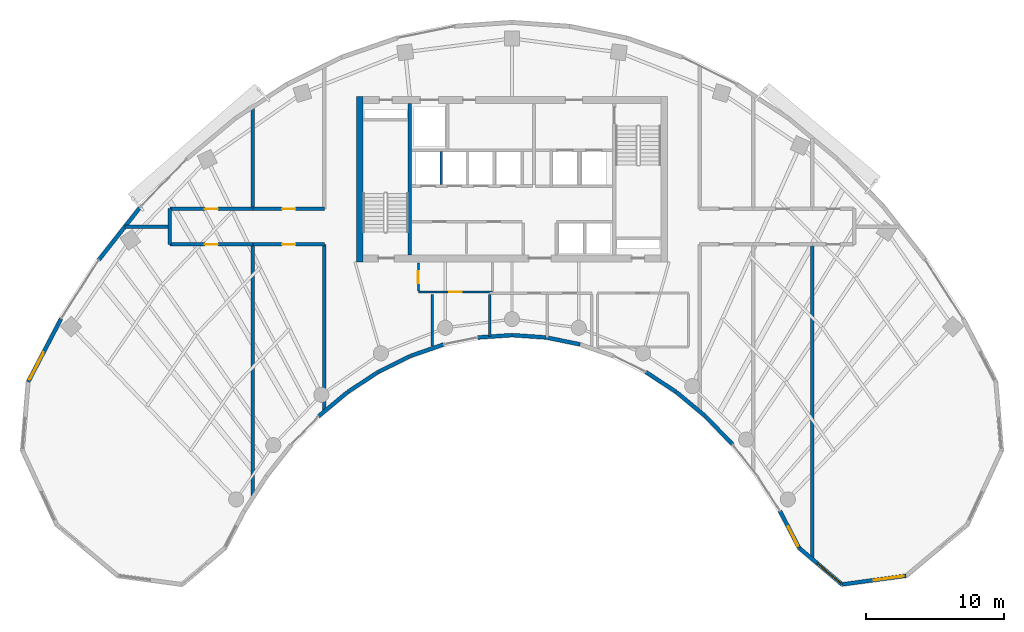
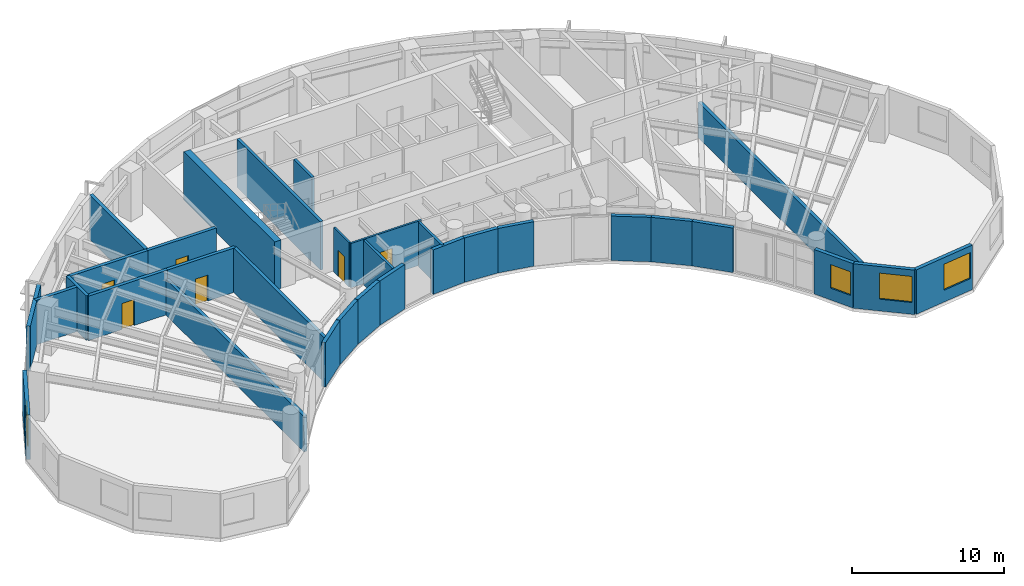
# One storey, part 8 of 13: 32 walls, 6 doors, 4 windows, 10 openings.
"""IFC4 building model written with IfcOpenShell, lengths in metres."""

from ifc_helpers import new_model, si_unit, direction, frame, frame_2d, origin, place, context, subcontext, project, spatial, rectangle, extrude, source, transform, mapped, material, layer, layer_set, type_object, type_shapes, element, fill, save


model = new_model("IFC4")

# Units and contexts
model_context = context("Model", 3, precision=1e-05, world=origin(), true_north=direction((0.0, 1.0)))
body_context = subcontext(model_context, "Body", "Model", "MODEL_VIEW")
ifc_project = project(units=[si_unit("LENGTHUNIT", "METRE"), si_unit("AREAUNIT", "SQUARE_METRE"), si_unit("VOLUMEUNIT", "CUBIC_METRE"), si_unit("PLANEANGLEUNIT", "RADIAN"), si_unit("MASSUNIT", "GRAM", prefix="KILO")], contexts=[model_context])

# Site, building, storey
site_placement = place(None, origin())
site = spatial("IfcSite", under=ifc_project, at=site_placement, CompositionType="ELEMENT")
building_placement = place(site_placement, origin())
building = spatial("IfcBuilding", under=site, at=building_placement, Name="Breltana Convention Tower", CompositionType="ELEMENT")
storey_placement = place(building_placement, frame((0.0, 0.0, 185.699951171875)))
storey = spatial("IfcBuildingStorey", under=building, at=storey_placement, Name="L45", CompositionType="ELEMENT", Elevation=185.699951171875)

# Walls
ifc_material_1 = material(Name="Concrete C60/75", Category="concrete")
ifc_layer_1 = layer(ifc_material_1, 0.5, Name="Concrete C60/75")
ifc_layer_set_1 = layer_set([ifc_layer_1], Name="Concrete C60/75")
wall_type_1 = type_object("IfcWallType", Name="SW-CORE-500", PredefinedType="SHEAR", material=ifc_layer_set_1)
shared_shape_1 = source(origin(), body_context, "Body", "SweptSolid", [
    extrude(rectangle(XDim=12.0, YDim=0.5, at=frame_2d((6.0, 0.0))), origin(), (0.0, 0.0, 1.0), 3.900146484375),
])
wall_1_placement = place(storey_placement, frame((36.949951171875, 60.199951171875, 0.0), z_axis=(0.0, 0.0, 1.0), x_axis=(0.0, 1.0, 0.0)))
element("IfcWall", 1, at=wall_1_placement, inside=storey, type_object=wall_type_1, Name="L45 West Core Shear Wall", PredefinedType="SHEAR", context=body_context, shape_type="MappedRepresentation", body=[
    mapped(shared_shape_1, transform((0.0, 0.0, 0.0), scale=1.0)),
])
ifc_material_2 = material(Name="Concrete C50/60", Category="concrete")
ifc_layer_2 = layer(ifc_material_2, 0.39990234375, Name="Concrete C50/60")
ifc_layer_set_2 = layer_set([ifc_layer_2], Name="Concrete C50/60")
wall_type_2 = type_object("IfcWallType", Name="SW-CORE-400", PredefinedType="SHEAR", material=ifc_layer_set_2)
shared_shape_2 = source(origin(), body_context, "Body", "SweptSolid", [
    extrude(rectangle(XDim=11.0, YDim=0.219970703125, at=frame_2d((5.5, 0.0))), origin(), (0.0, 0.0, 1.0), 3.900146484375),
])
wall_2_placement = place(storey_placement, frame((40.580078125, 60.699951171875, 0.0), z_axis=(0.0, 0.0, 1.0), x_axis=(0.0, 1.0, 0.0)))
element("IfcWall", 2, at=wall_2_placement, inside=storey, type_object=wall_type_2, Name="L45 Core West Stair Spine Wall", PredefinedType="SHEAR", context=body_context, shape_type="MappedRepresentation", body=[
    mapped(shared_shape_2, transform((0.0, 0.0, 0.0), scale=1.0)),
])

# Wall, opening, window
ifc_material_3 = material(Name="Limestone Buff Insulated Wall", Category="masonry")
ifc_layer_3 = layer(ifc_material_3, 0.280029296875, Name="Limestone Buff Insulated Wall")
ifc_layer_set_3 = layer_set([ifc_layer_3], Name="Limestone Buff Insulated Wall")
wall_type_3 = type_object("IfcWallType", Name="WL-EXT-NOSE-280", PredefinedType="SOLIDWALL", material=ifc_layer_set_3)
shared_shape_3 = source(origin(), body_context, "Body", "SweptSolid", [
    extrude(rectangle(XDim=4.680419921875, YDim=0.280029296875, at=frame_2d((2.34033203125, 0.0))), origin(), (0.0, 0.0, 1.0), 3.580078125),
])
wall_3_placement = place(storey_placement, frame((76.594482421875, 37.41650390625, 0.0), z_axis=(0.0, 0.0, 1.0), x_axis=(-0.990931146435, -0.134370618162, 0.0)))
wall_3 = element("IfcWall", 3, at=wall_3_placement, inside=storey, type_object=wall_type_3, Name="L45 curved limestone nose wall E4", PredefinedType="SOLIDWALL", context=body_context, shape_type="MappedRepresentation", body=[
    mapped(shared_shape_3, transform((0.0, 0.0, 0.0), scale=1.0)),
])
opening_1_placement = place(wall_3_placement, frame((0.159912109375, 0.0, 0.949951171875)))
opening_1 = element("IfcOpeningElement", 4, at=opening_1_placement, cuts=wall_3, Name="Opening W-03", PredefinedType="OPENING", context=body_context, shape_type="SweptSolid", body=[
    extrude(rectangle(XDim=2.199951171875, YDim=2.10009765625, at=frame_2d((1.10009765625, 1.050048828125))), frame((0.0, 0.14990234375, 0.0), z_axis=(0.0, -1.0, 0.0), x_axis=(1.0, 0.0, 0.0)), (0.0, 0.0, 1.0), 0.300048828125),
])
ifc_material_4 = material(Name="Glass Low-E Insulated Window", Category="glass")
window_type_1 = type_object("IfcWindowType", Name="WN-NOSE-2200X2100", PartitioningType="TRIPLE_PANEL_VERTICAL", PredefinedType="WINDOW", material=ifc_material_4)
shared_shape_4 = source(origin(), body_context, "Body", "SweptSolid", [
    extrude(rectangle(XDim=2.199951171875, YDim=2.10009765625, at=frame_2d((1.10009765625, 1.050048828125))), frame((0.0, 0.030029296875, 0.0), z_axis=(0.0, -1.0, 0.0), x_axis=(1.0, 0.0, 0.0)), (0.0, 0.0, 1.0), 0.06005859375),
])
type_shapes(window_type_1, [shared_shape_4])
window_1_placement = place(opening_1_placement, origin())
window_1 = element("IfcWindow", 5, at=window_1_placement, inside=storey, type_object=window_type_1, Name="L45 nose window E4", OverallHeight=2.10009765625, OverallWidth=2.199951171875, PartitioningType="TRIPLE_PANEL_VERTICAL", PredefinedType="WINDOW", context=body_context, shape_type="MappedRepresentation", body=[
    mapped(shared_shape_4, transform((0.0, 0.0, 0.0), scale=1.0)),
])
fill(opening_1, window_1)

shared_shape_5 = source(origin(), body_context, "Body", "SweptSolid", [
    extrude(rectangle(XDim=4.095947265625, YDim=0.280029296875, at=frame_2d((2.0478515625, 0.0))), origin(), (0.0, 0.0, 1.0), 3.580078125),
])
wall_4_placement = place(storey_placement, frame((71.95654296875, 36.78759765625, 0.0), z_axis=(0.0, 0.0, 1.0), x_axis=(-0.761926081737, 0.647663991564, 0.0)))
wall_4 = element("IfcWall", 6, at=wall_4_placement, inside=storey, type_object=wall_type_3, Name="L45 curved limestone nose wall E5", PredefinedType="SOLIDWALL", context=body_context, shape_type="MappedRepresentation", body=[
    mapped(shared_shape_5, transform((0.0, 0.0, 0.0), scale=1.0)),
])
opening_2_placement = place(wall_4_placement, frame((0.159912109375, 0.0, 0.949951171875)))
opening_2 = element("IfcOpeningElement", 7, at=opening_2_placement, cuts=wall_4, Name="Opening W-03", PredefinedType="OPENING", context=body_context, shape_type="SweptSolid", body=[
    extrude(rectangle(XDim=2.199951171875, YDim=2.10009765625, at=frame_2d((1.10009765625, 1.050048828125))), frame((0.0, 0.14990234375, 0.0), z_axis=(0.0, -1.0, 0.0), x_axis=(1.0, 0.0, 0.0)), (0.0, 0.0, 1.0), 0.300048828125),
])
window_2_placement = place(opening_2_placement, origin())
window_2 = element("IfcWindow", 8, at=window_2_placement, inside=storey, type_object=window_type_1, Name="L45 nose window E5", OverallHeight=2.10009765625, OverallWidth=2.199951171875, PartitioningType="TRIPLE_PANEL_VERTICAL", PredefinedType="WINDOW", context=body_context, shape_type="MappedRepresentation", body=[
    mapped(shared_shape_4, transform((0.0, 0.0, 0.0), scale=1.0)),
])
fill(opening_2, window_2)

shared_shape_6 = source(origin(), body_context, "Body", "SweptSolid", [
    extrude(rectangle(XDim=3.02392578125, YDim=0.280029296875, at=frame_2d((1.511962890625, 0.0))), origin(), (0.0, 0.0, 1.0), 3.580078125),
])
wall_5_placement = place(storey_placement, frame((68.835693359375, 39.4404296875, 0.0), z_axis=(0.0, 0.0, 1.0), x_axis=(-0.461718746531, 0.887026380161, 0.0)))
wall_5 = element("IfcWall", 9, at=wall_5_placement, inside=storey, type_object=wall_type_3, Name="L45 curved limestone nose wall E6", PredefinedType="SOLIDWALL", context=body_context, shape_type="MappedRepresentation", body=[
    mapped(shared_shape_6, transform((0.0, 0.0, 0.0), scale=1.0)),
])
opening_3_placement = place(wall_5_placement, frame((0.159912109375, 0.0, 0.949951171875)))
opening_3 = element("IfcOpeningElement", 10, at=opening_3_placement, cuts=wall_5, Name="Opening W-04", PredefinedType="OPENING", context=body_context, shape_type="SweptSolid", body=[
    extrude(rectangle(XDim=1.60009765625, YDim=1.89990234375, at=frame_2d((0.800048828125, 0.949951171875))), frame((0.0, 0.14990234375, 0.0), z_axis=(0.0, -1.0, 0.0), x_axis=(1.0, 0.0, 0.0)), (0.0, 0.0, 1.0), 0.300048828125),
])
window_type_2 = type_object("IfcWindowType", Name="WN-NOSE-1600X1900", PartitioningType="SINGLE_PANEL", PredefinedType="WINDOW", material=ifc_material_4)
shared_shape_7 = source(origin(), body_context, "Body", "SweptSolid", [
    extrude(rectangle(XDim=1.60009765625, YDim=1.89990234375, at=frame_2d((0.800048828125, 0.949951171875))), frame((0.0, 0.030029296875, 0.0), z_axis=(0.0, -1.0, 0.0), x_axis=(1.0, 0.0, 0.0)), (0.0, 0.0, 1.0), 0.06005859375),
])
type_shapes(window_type_2, [shared_shape_7])
window_3_placement = place(opening_3_placement, origin())
window_3 = element("IfcWindow", 11, at=window_3_placement, inside=storey, type_object=window_type_2, Name="L45 nose window E6", OverallHeight=1.89990234375, OverallWidth=1.60009765625, PartitioningType="SINGLE_PANEL", PredefinedType="WINDOW", context=body_context, shape_type="MappedRepresentation", body=[
    mapped(shared_shape_7, transform((0.0, 0.0, 0.0), scale=1.0)),
])
fill(opening_3, window_3)

# Walls
shared_shape_8 = source(origin(), body_context, "Body", "SweptSolid", [
    extrude(rectangle(XDim=2.812255859375, YDim=0.280029296875, at=frame_2d((1.40625, 0.0))), origin(), (0.0, 0.0, 1.0), 3.580078125),
])
wall_6_placement = place(storey_placement, frame((64.00830078125, 46.9501953125, 0.0), z_axis=(0.0, 0.0, 1.0), x_axis=(-0.694583668785, 0.719411931411, 0.0)))
element("IfcWall", 12, at=wall_6_placement, inside=storey, type_object=wall_type_3, Name="L45 curved limestone nose wall E7", PredefinedType="SOLIDWALL", context=body_context, shape_type="MappedRepresentation", body=[
    mapped(shared_shape_8, transform((0.0, 0.0, 0.0), scale=1.0)),
])
shared_shape_9 = source(origin(), body_context, "Body", "SweptSolid", [
    extrude(rectangle(XDim=2.7294921875, YDim=0.280029296875, at=frame_2d((1.36474609375, 0.0))), origin(), (0.0, 0.0, 1.0), 3.580078125),
])
for number, where, z_axis, x_axis, name in (
    (13, (62.040771484375, 48.986572265625, 0.0), (0.0, 0.0, 1.0), (-0.767957284255, 0.640501061326, 0.0), "L45 curved limestone nose wall E8"),
    (14, (36.055419921875, 50.73486328125, 0.0), (0.0, 0.0, 1.0), (-0.767957284255, -0.640501061326, 0.0), "L45 curved limestone nose wall E17"),
):
    element("IfcWall", number, at=place(storey_placement, frame(where, z_axis=z_axis, x_axis=x_axis)), inside=storey, type_object=wall_type_3, Name=name, PredefinedType="SOLIDWALL", context=body_context, shape_type="MappedRepresentation", body=[
        mapped(shared_shape_9, transform((0.0, 0.0, 0.0), scale=1.0)),
    ])
shared_shape_10 = source(origin(), body_context, "Body", "SweptSolid", [
    extrude(rectangle(XDim=2.65234375, YDim=0.280029296875, at=frame_2d((1.326171875, 0.0))), origin(), (0.0, 0.0, 1.0), 3.580078125),
])
for number, where, z_axis, x_axis, name in (
    (15, (59.92822265625, 50.7470703125, 0.0), (0.0, 0.0, 1.0), (-0.836008323535, 0.54871676025, 0.0), "L45 curved limestone nose wall E9"),
    (16, (38.2890625, 52.202392578125, 0.0), (0.0, 0.0, 1.0), (-0.836008323535, -0.54871676025, 0.0), "L45 curved limestone nose wall E16"),
):
    element("IfcWall", number, at=place(storey_placement, frame(where, z_axis=z_axis, x_axis=x_axis)), inside=storey, type_object=wall_type_3, Name=name, PredefinedType="SOLIDWALL", context=body_context, shape_type="MappedRepresentation", body=[
        mapped(shared_shape_10, transform((0.0, 0.0, 0.0), scale=1.0)),
    ])
shared_shape_11 = source(origin(), body_context, "Body", "SweptSolid", [
    extrude(rectangle(XDim=2.52978515625, YDim=0.280029296875, at=frame_2d((1.264892578125, 0.0))), origin(), (0.0, 0.0, 1.0), 3.580078125),
])
wall_7_placement = place(storey_placement, frame((43.034912109375, 54.1982421875, 0.0), z_axis=(0.0, 0.0, 1.0), x_axis=(-0.944872429646, -0.327438683872, 0.0)))
element("IfcWall", 17, at=wall_7_placement, inside=storey, type_object=wall_type_3, Name="L45 curved limestone nose wall E14", PredefinedType="SOLIDWALL", context=body_context, shape_type="MappedRepresentation", body=[
    mapped(shared_shape_11, transform((0.0, 0.0, 0.0), scale=1.0)),
])
shared_shape_12 = source(origin(), body_context, "Body", "SweptSolid", [
    extrude(rectangle(XDim=2.4912109375, YDim=0.280029296875, at=frame_2d((1.24560546875, 0.0))), origin(), (0.0, 0.0, 1.0), 3.580078125),
])
wall_8_placement = place(storey_placement, frame((52.9423828125, 54.20458984375, 0.0), z_axis=(0.0, 0.0, 1.0), x_axis=(-0.979630885979, 0.200806691214, 0.0)))
element("IfcWall", 18, at=wall_8_placement, inside=storey, type_object=wall_type_3, Name="L45 curved limestone nose wall E11", PredefinedType="SOLIDWALL", context=body_context, shape_type="MappedRepresentation", body=[
    mapped(shared_shape_12, transform((0.0, 0.0, 0.0), scale=1.0)),
])
shared_shape_13 = source(origin(), body_context, "Body", "SweptSolid", [
    extrude(rectangle(XDim=2.471435546875, YDim=0.280029296875, at=frame_2d((1.23583984375, 0.0))), origin(), (0.0, 0.0, 1.0), 3.580078125),
])
for number, where, z_axis, x_axis, name in (
    (19, (50.47802734375, 54.708251953125, 0.0), (0.0, 0.0, 1.0), (-0.997708006929, 0.067666335123, 0.0), "L45 curved limestone nose wall E12"),
    (20, (47.98779296875, 54.87548828125, 0.0), (0.0, 0.0, 1.0), (-0.997708006929, -0.067666335123, 0.0), "L45 curved limestone nose wall E13"),
):
    element("IfcWall", number, at=place(storey_placement, frame(where, z_axis=z_axis, x_axis=x_axis)), inside=storey, type_object=wall_type_3, Name=name, PredefinedType="SOLIDWALL", context=body_context, shape_type="MappedRepresentation", body=[
        mapped(shared_shape_13, transform((0.0, 0.0, 0.0), scale=1.0)),
    ])
shared_shape_14 = source(origin(), body_context, "Body", "SweptSolid", [
    extrude(rectangle(XDim=2.58447265625, YDim=0.280029296875, at=frame_2d((1.292236328125, 0.0))), origin(), (0.0, 0.0, 1.0), 3.580078125),
])
wall_9_placement = place(storey_placement, frame((40.62353515625, 53.361083984375, 0.0), z_axis=(0.0, 0.0, 1.0), x_axis=(-0.895989792847, -0.44407464588, 0.0)))
element("IfcWall", 21, at=wall_9_placement, inside=storey, type_object=wall_type_3, Name="L45 curved limestone nose wall E15", PredefinedType="SOLIDWALL", context=body_context, shape_type="MappedRepresentation", body=[
    mapped(shared_shape_14, transform((0.0, 0.0, 0.0), scale=1.0)),
])

# Wall, opening, window
shared_shape_15 = source(origin(), body_context, "Body", "SweptSolid", [
    extrude(rectangle(XDim=5.1708984375, YDim=0.280029296875, at=frame_2d((2.58544921875, 0.0))), origin(), (0.0, 0.0, 1.0), 3.580078125),
])
wall_10_placement = place(storey_placement, frame((12.897705078125, 51.48876953125, 0.0), z_axis=(0.0, 0.0, 1.0), x_axis=(0.461752581363, 0.887008767491, 0.0)))
wall_10 = element("IfcWall", 22, at=wall_10_placement, inside=storey, type_object=wall_type_3, Name="L45 curved limestone nose wall W7", PredefinedType="SOLIDWALL", context=body_context, shape_type="MappedRepresentation", body=[
    mapped(shared_shape_15, transform((0.0, 0.0, 0.0), scale=1.0)),
])
opening_4_placement = place(wall_10_placement, frame((0.19287109375, 0.0, 0.949951171875)))
opening_4 = element("IfcOpeningElement", 23, at=opening_4_placement, cuts=wall_10, Name="Opening W-03", PredefinedType="OPENING", context=body_context, shape_type="SweptSolid", body=[
    extrude(rectangle(XDim=2.199951171875, YDim=2.10009765625, at=frame_2d((1.10009765625, 1.050048828125))), frame((0.0, 0.14990234375, 0.0), z_axis=(0.0, -1.0, 0.0), x_axis=(1.0, 0.0, 0.0)), (0.0, 0.0, 1.0), 0.300048828125),
])
window_4_placement = place(opening_4_placement, origin())
window_4 = element("IfcWindow", 24, at=window_4_placement, inside=storey, type_object=window_type_1, Name="L45 nose window W7", OverallHeight=2.10009765625, OverallWidth=2.199951171875, PartitioningType="TRIPLE_PANEL_VERTICAL", PredefinedType="WINDOW", context=body_context, shape_type="MappedRepresentation", body=[
    mapped(shared_shape_4, transform((0.0, 0.0, 0.0), scale=1.0)),
])
fill(opening_4, window_4)

# Walls
shared_shape_16 = source(origin(), body_context, "Body", "SweptSolid", [
    extrude(rectangle(XDim=4.921630859375, YDim=0.280029296875, at=frame_2d((2.4609375, 0.0))), origin(), (0.0, 0.0, 1.0), 3.580078125),
])
wall_11_placement = place(storey_placement, frame((18.021240234375, 60.337646484375, 0.0), z_axis=(0.0, 0.0, 1.0), x_axis=(0.61817639101, 0.786039407153, 0.0)))
element("IfcWall", 25, at=wall_11_placement, inside=storey, type_object=wall_type_3, Name="L45 curved limestone nose wall E20", PredefinedType="SOLIDWALL", context=body_context, shape_type="MappedRepresentation", body=[
    mapped(shared_shape_16, transform((0.0, 0.0, 0.0), scale=1.0)),
])
ifc_material_5 = material(Name="Autoclaved Aerated Concrete Block", Category="concrete")
ifc_layer_4 = layer(ifc_material_5, 0.199951171875, Name="Autoclaved Aerated Concrete Block")
ifc_layer_set_4 = layer_set([ifc_layer_4], Name="Autoclaved Aerated Concrete Block")
wall_type_4 = type_object("IfcWallType", Name="WL-SHAFT-200", PredefinedType="SOLIDWALL", material=ifc_layer_set_4)
shared_shape_17 = source(origin(), body_context, "Body", "SweptSolid", [
    extrude(rectangle(XDim=2.39990234375, YDim=0.199951171875, at=frame_2d((1.199951171875, 0.0))), origin(), (0.0, 0.0, 1.0), 3.580078125),
])
wall_12_placement = place(storey_placement, frame((42.8701171875, 65.800048828125, 0.0), z_axis=(0.0, 0.0, 1.0), x_axis=(0.0, 1.0, 0.0)))
element("IfcWall", 26, at=wall_12_placement, inside=storey, type_object=wall_type_4, Name="L45 interior partition W-L45-SH-M-DIV1", PredefinedType="SOLIDWALL", context=body_context, shape_type="MappedRepresentation", body=[
    mapped(shared_shape_17, transform((0.0, 0.0, 0.0), scale=1.0)),
])

# Wall, opening, door
ifc_material_6 = material(Name="Gypsum Acoustic Drywall Partition")
ifc_layer_5 = layer(ifc_material_6, 0.14990234375, Name="Gypsum Acoustic Drywall Partition")
ifc_layer_set_5 = layer_set([ifc_layer_5], Name="Gypsum Acoustic Drywall Partition")
wall_type_5 = type_object("IfcWallType", Name="WL-PART-150", PredefinedType="PARTITIONING", material=ifc_layer_set_5)
shared_shape_18 = source(origin(), body_context, "Body", "SweptSolid", [
    extrude(rectangle(XDim=5.400146484375, YDim=0.14990234375, at=frame_2d((2.7001953125, 0.0))), origin(), (0.0, 0.0, 1.0), 3.580078125),
])
wall_13_placement = place(storey_placement, frame((41.199951171875, 58.0, 0.0), z_axis=(0.0, 0.0, 1.0), x_axis=(1.0, 0.0, 0.0)))
wall_13 = element("IfcWall", 27, at=wall_13_placement, inside=storey, type_object=wall_type_5, Name="L45 interior partition W-L45-CRSC-S", PredefinedType="PARTITIONING", context=body_context, shape_type="MappedRepresentation", body=[
    mapped(shared_shape_18, transform((0.0, 0.0, 0.0), scale=1.0)),
])
opening_5_placement = place(wall_13_placement, frame((2.25, 0.0, 0.0)))
opening_5 = element("IfcOpeningElement", 28, at=opening_5_placement, cuts=wall_13, Name="Opening D-19", PredefinedType="OPENING", context=body_context, shape_type="SweptSolid", body=[
    extrude(rectangle(XDim=0.89990234375, YDim=2.080078125, at=frame_2d((0.449951171875, 1.0400390625))), frame((0.0, 0.0849609375, 0.0), z_axis=(0.0, -1.0, 0.0), x_axis=(1.0, 0.0, 0.0)), (0.0, 0.0, 1.0), 0.169921875),
])
ifc_material_7 = material(Name="Timber Moisture-Resistant Door", Category="wood")
door_type_1 = type_object("IfcDoorType", Name="DR-WC-900", OperationType="NOTDEFINED", PredefinedType="DOOR", material=ifc_material_7)
shared_shape_19 = source(origin(), body_context, "Body", "SweptSolid", [
    extrude(rectangle(XDim=0.89990234375, YDim=2.080078125, at=frame_2d((0.449951171875, 1.0400390625))), frame((0.0, 0.02490234375, 0.0), z_axis=(0.0, -1.0, 0.0), x_axis=(1.0, 0.0, 0.0)), (0.0, 0.0, 1.0), 0.050048828125),
])
type_shapes(door_type_1, [shared_shape_19])
door_1_placement = place(opening_5_placement, origin())
door_1 = element("IfcDoor", 29, at=door_1_placement, inside=storey, type_object=door_type_1, Name="L45 interior door D-L45-WCM", OperationType="SINGLE_SWING_LEFT", OverallHeight=2.080078125, OverallWidth=0.89990234375, PredefinedType="DOOR", context=body_context, shape_type="MappedRepresentation", body=[
    mapped(shared_shape_19, transform((0.0, 0.0, 0.0), scale=1.0)),
])
fill(opening_5, door_1)

shared_shape_20 = source(origin(), body_context, "Body", "SweptSolid", [
    extrude(rectangle(XDim=2.03271484375, YDim=0.14990234375, at=frame_2d((1.016357421875, 0.0))), origin(), (0.0, 0.0, 1.0), 3.580078125),
])
wall_14_placement = place(storey_placement, frame((41.199951171875, 58.0673828125, 0.0), z_axis=(0.0, 0.0, 1.0), x_axis=(0.0, 1.0, 0.0)))
wall_14 = element("IfcWall", 30, at=wall_14_placement, inside=storey, type_object=wall_type_5, Name="L45 interior partition W-L45-CRSC-W", PredefinedType="PARTITIONING", context=body_context, shape_type="MappedRepresentation", body=[
    mapped(shared_shape_20, transform((0.0, 0.0, 0.0), scale=1.0)),
])
opening_6_placement = place(wall_14_placement, frame((0.59130859375, 0.0, 0.0)))
opening_6 = element("IfcOpeningElement", 31, at=opening_6_placement, cuts=wall_14, Name="Opening D-20", PredefinedType="OPENING", context=body_context, shape_type="SweptSolid", body=[
    extrude(rectangle(XDim=0.85009765625, YDim=2.10009765625, at=frame_2d((0.425048828125, 1.050048828125))), frame((0.0, 0.0849609375, 0.0), z_axis=(0.0, -1.0, 0.0), x_axis=(1.0, 0.0, 0.0)), (0.0, 0.0, 1.0), 0.169921875),
])
ifc_material_8 = material(Name="Steel Closet Fire Door", Category="steel")
door_type_2 = type_object("IfcDoorType", Name="DR-FD60-850", OperationType="NOTDEFINED", PredefinedType="DOOR", material=ifc_material_8)
shared_shape_21 = source(origin(), body_context, "Body", "SweptSolid", [
    extrude(rectangle(XDim=0.85009765625, YDim=2.10009765625, at=frame_2d((0.425048828125, 1.050048828125))), frame((0.0, 0.02490234375, 0.0), z_axis=(0.0, -1.0, 0.0), x_axis=(1.0, 0.0, 0.0)), (0.0, 0.0, 1.0), 0.050048828125),
])
type_shapes(door_type_2, [shared_shape_21])
door_2_placement = place(opening_6_placement, origin())
door_2 = element("IfcDoor", 32, at=door_2_placement, inside=storey, type_object=door_type_2, Name="L45 interior door D-L45-CRSC", OperationType="SINGLE_SWING_RIGHT", OverallHeight=2.10009765625, OverallWidth=0.85009765625, PredefinedType="DOOR", context=body_context, shape_type="MappedRepresentation", body=[
    mapped(shared_shape_21, transform((0.0, 0.0, 0.0), scale=1.0)),
])
fill(opening_6, door_2)

# Walls
ifc_material_9 = material(Name="Cement Board Wet-Area Partition")
ifc_layer_6 = layer(ifc_material_9, 0.175048828125, Name="Cement Board Wet-Area Partition")
ifc_layer_set_6 = layer_set([ifc_layer_6], Name="Cement Board Wet-Area Partition")
wall_type_6 = type_object("IfcWallType", Name="WL-WET-175", PredefinedType="PARTITIONING", material=ifc_layer_set_6)
shared_shape_22 = source(origin(), body_context, "Body", "SweptSolid", [
    extrude(rectangle(XDim=3.7626953125, YDim=0.175048828125, at=frame_2d((1.88134765625, 0.0))), origin(), (0.0, 0.0, 1.0), 3.580078125),
])
wall_15_placement = place(storey_placement, frame((42.199951171875, 54.07861328125, 0.0), z_axis=(0.0, 0.0, 1.0), x_axis=(0.0, 1.0, 0.0)))
element("IfcWall", 33, at=wall_15_placement, inside=storey, type_object=wall_type_6, Name="L45 interior partition W-L45-WCM-W", PredefinedType="PARTITIONING", context=body_context, shape_type="MappedRepresentation", body=[
    mapped(shared_shape_22, transform((0.0, 0.0, 0.0), scale=1.0)),
])
shared_shape_23 = source(origin(), body_context, "Body", "SweptSolid", [
    extrude(rectangle(XDim=3.065185546875, YDim=0.175048828125, at=frame_2d((1.53271484375, 0.0))), origin(), (0.0, 0.0, 1.0), 3.580078125),
])
wall_16_placement = place(storey_placement, frame((46.3759765625, 54.776123046875, 0.0), z_axis=(0.0, 0.0, 1.0), x_axis=(0.0, 1.0, 0.0)))
element("IfcWall", 34, at=wall_16_placement, inside=storey, type_object=wall_type_6, Name="L45 interior partition W-L45-WCM-E", PredefinedType="PARTITIONING", context=body_context, shape_type="MappedRepresentation", body=[
    mapped(shared_shape_23, transform((0.0, 0.0, 0.0), scale=1.0)),
])

# Wall, opening, door
ifc_material_10 = material(Name="Gypsum Acoustic Double Stud Wall")
ifc_layer_7 = layer(ifc_material_10, 0.25, Name="Gypsum Acoustic Double Stud Wall")
ifc_layer_set_7 = layer_set([ifc_layer_7], Name="Gypsum Acoustic Double Stud Wall")
wall_type_7 = type_object("IfcWallType", Name="WL-ACOUSTIC-250", PredefinedType="PARTITIONING", material=ifc_layer_set_7)
shared_shape_24 = source(origin(), body_context, "Body", "SweptSolid", [
    extrude(rectangle(XDim=6.02001953125, YDim=0.25, at=frame_2d((3.010009765625, 0.0))), origin(), (0.0, 0.0, 1.0), 3.580078125),
])
wall_17_placement = place(storey_placement, frame((23.179931640625, 64.0400390625, 0.0), z_axis=(0.0, 0.0, 1.0), x_axis=(1.0, 0.0, 0.0)))
wall_17 = element("IfcWall", 35, at=wall_17_placement, inside=storey, type_object=wall_type_7, Name="L45 interior partition W-L45-ZWN1-D", PredefinedType="PARTITIONING", context=body_context, shape_type="MappedRepresentation", body=[
    mapped(shared_shape_24, transform((0.0, 0.0, 0.0), scale=1.0)),
])
opening_7_placement = place(wall_17_placement, frame((2.534912109375, 0.0, 0.0)))
opening_7 = element("IfcOpeningElement", 36, at=opening_7_placement, cuts=wall_17, Name="Opening D-17", PredefinedType="OPENING", context=body_context, shape_type="SweptSolid", body=[
    extrude(rectangle(XDim=0.949951171875, YDim=2.10009765625, at=frame_2d((0.47509765625, 1.050048828125))), frame((0.0, 0.135009765625, 0.0), z_axis=(0.0, -1.0, 0.0), x_axis=(1.0, 0.0, 0.0)), (0.0, 0.0, 1.0), 0.27001953125),
])
ifc_material_11 = material(Name="Timber Oak Veneer Door", Category="wood")
door_type_3 = type_object("IfcDoorType", Name="DR-INT-950", OperationType="NOTDEFINED", PredefinedType="DOOR", material=ifc_material_11)
shared_shape_25 = source(origin(), body_context, "Body", "SweptSolid", [
    extrude(rectangle(XDim=0.949951171875, YDim=2.10009765625, at=frame_2d((0.47509765625, 1.050048828125))), frame((0.0, 0.02490234375, 0.0), z_axis=(0.0, -1.0, 0.0), x_axis=(1.0, 0.0, 0.0)), (0.0, 0.0, 1.0), 0.050048828125),
])
type_shapes(door_type_3, [shared_shape_25])
door_3_placement = place(opening_7_placement, origin())
door_3 = element("IfcDoor", 37, at=door_3_placement, inside=storey, type_object=door_type_3, Name="L45 interior door D-L45-ZWN1", OperationType="SINGLE_SWING_LEFT", OverallHeight=2.10009765625, OverallWidth=0.949951171875, PredefinedType="DOOR", context=body_context, shape_type="MappedRepresentation", body=[
    mapped(shared_shape_25, transform((0.0, 0.0, 0.0), scale=1.0)),
])
fill(opening_7, door_3)

wall_18_placement = place(storey_placement, frame((23.179931640625, 61.4599609375, 0.0), z_axis=(0.0, 0.0, 1.0), x_axis=(1.0, 0.0, 0.0)))
wall_18 = element("IfcWall", 38, at=wall_18_placement, inside=storey, type_object=wall_type_7, Name="L45 interior partition W-L45-ZWS1-D", PredefinedType="PARTITIONING", context=body_context, shape_type="MappedRepresentation", body=[
    mapped(shared_shape_24, transform((0.0, 0.0, 0.0), scale=1.0)),
])
opening_8_placement = place(wall_18_placement, frame((2.534912109375, 0.0, 0.0)))
opening_8 = element("IfcOpeningElement", 39, at=opening_8_placement, cuts=wall_18, Name="Opening D-17", PredefinedType="OPENING", context=body_context, shape_type="SweptSolid", body=[
    extrude(rectangle(XDim=0.949951171875, YDim=2.10009765625, at=frame_2d((0.47509765625, 1.050048828125))), frame((0.0, 0.135009765625, 0.0), z_axis=(0.0, -1.0, 0.0), x_axis=(1.0, 0.0, 0.0)), (0.0, 0.0, 1.0), 0.27001953125),
])
door_4_placement = place(opening_8_placement, origin())
door_4 = element("IfcDoor", 40, at=door_4_placement, inside=storey, type_object=door_type_3, Name="L45 interior door D-L45-ZWS1", OperationType="SINGLE_SWING_LEFT", OverallHeight=2.10009765625, OverallWidth=0.949951171875, PredefinedType="DOOR", context=body_context, shape_type="MappedRepresentation", body=[
    mapped(shared_shape_25, transform((0.0, 0.0, 0.0), scale=1.0)),
])
fill(opening_8, door_4)

# Wall
shared_shape_26 = source(origin(), body_context, "Body", "SweptSolid", [
    extrude(rectangle(XDim=7.365478515625, YDim=0.25, at=frame_2d((3.6826171875, 0.0))), origin(), (0.0, 0.0, 1.0), 3.580078125),
])
wall_19_placement = place(storey_placement, frame((29.199951171875, 64.06005859375, 0.0), z_axis=(0.0, 0.0, 1.0), x_axis=(0.0, 1.0, 0.0)))
element("IfcWall", 41, at=wall_19_placement, inside=storey, type_object=wall_type_7, Name="L45 interior partition W-L45-ZWN1-E", PredefinedType="PARTITIONING", context=body_context, shape_type="MappedRepresentation", body=[
    mapped(shared_shape_26, transform((0.0, 0.0, 0.0), scale=1.0)),
])

# Wall, opening, door
shared_shape_27 = source(origin(), body_context, "Body", "SweptSolid", [
    extrude(rectangle(XDim=5.199951171875, YDim=0.25, at=frame_2d((2.60009765625, 0.0))), origin(), (0.0, 0.0, 1.0), 3.580078125),
])
wall_20_placement = place(storey_placement, frame((29.199951171875, 64.0400390625, 0.0), z_axis=(0.0, 0.0, 1.0), x_axis=(1.0, 0.0, 0.0)))
wall_20 = element("IfcWall", 42, at=wall_20_placement, inside=storey, type_object=wall_type_7, Name="L45 interior partition W-L45-ZWN2-D", PredefinedType="PARTITIONING", context=body_context, shape_type="MappedRepresentation", body=[
    mapped(shared_shape_27, transform((0.0, 0.0, 0.0), scale=1.0)),
])
opening_9_placement = place(wall_20_placement, frame((2.125, 0.0, 0.0)))
opening_9 = element("IfcOpeningElement", 43, at=opening_9_placement, cuts=wall_20, Name="Opening D-17", PredefinedType="OPENING", context=body_context, shape_type="SweptSolid", body=[
    extrude(rectangle(XDim=0.949951171875, YDim=2.10009765625, at=frame_2d((0.47509765625, 1.050048828125))), frame((0.0, 0.135009765625, 0.0), z_axis=(0.0, -1.0, 0.0), x_axis=(1.0, 0.0, 0.0)), (0.0, 0.0, 1.0), 0.27001953125),
])
door_5_placement = place(opening_9_placement, origin())
door_5 = element("IfcDoor", 44, at=door_5_placement, inside=storey, type_object=door_type_3, Name="L45 interior door D-L45-ZWN2", OperationType="SINGLE_SWING_RIGHT", OverallHeight=2.10009765625, OverallWidth=0.949951171875, PredefinedType="DOOR", context=body_context, shape_type="MappedRepresentation", body=[
    mapped(shared_shape_25, transform((0.0, 0.0, 0.0), scale=1.0)),
])
fill(opening_9, door_5)

wall_21_placement = place(storey_placement, frame((29.199951171875, 61.4599609375, 0.0), z_axis=(0.0, 0.0, 1.0), x_axis=(1.0, 0.0, 0.0)))
wall_21 = element("IfcWall", 45, at=wall_21_placement, inside=storey, type_object=wall_type_7, Name="L45 interior partition W-L45-ZWS2-D", PredefinedType="PARTITIONING", context=body_context, shape_type="MappedRepresentation", body=[
    mapped(shared_shape_27, transform((0.0, 0.0, 0.0), scale=1.0)),
])
opening_10_placement = place(wall_21_placement, frame((2.125, 0.0, 0.0)))
opening_10 = element("IfcOpeningElement", 46, at=opening_10_placement, cuts=wall_21, Name="Opening D-17", PredefinedType="OPENING", context=body_context, shape_type="SweptSolid", body=[
    extrude(rectangle(XDim=0.949951171875, YDim=2.10009765625, at=frame_2d((0.47509765625, 1.050048828125))), frame((0.0, 0.135009765625, 0.0), z_axis=(0.0, -1.0, 0.0), x_axis=(1.0, 0.0, 0.0)), (0.0, 0.0, 1.0), 0.27001953125),
])
door_6_placement = place(opening_10_placement, origin())
door_6 = element("IfcDoor", 47, at=door_6_placement, inside=storey, type_object=door_type_3, Name="L45 interior door D-L45-ZWS2", OperationType="SINGLE_SWING_RIGHT", OverallHeight=2.10009765625, OverallWidth=0.949951171875, PredefinedType="DOOR", context=body_context, shape_type="MappedRepresentation", body=[
    mapped(shared_shape_25, transform((0.0, 0.0, 0.0), scale=1.0)),
])
fill(opening_10, door_6)

# Walls
shared_shape_28 = source(origin(), body_context, "Body", "SweptSolid", [
    extrude(rectangle(XDim=18.301025390625, YDim=0.25, at=frame_2d((9.150390625, 0.0))), origin(), (0.0, 0.0, 1.0), 2.8720703125),
])
wall_22_placement = place(storey_placement, frame((29.199951171875, 43.138916015625, 0.0), z_axis=(0.0, 0.0, 1.0), x_axis=(0.0, 1.0, 0.0)))
element("IfcWall", 48, at=wall_22_placement, inside=storey, type_object=wall_type_7, Name="L45 interior partition W-L45-ZWS1-E", PredefinedType="PARTITIONING", context=body_context, shape_type="MappedRepresentation", body=[
    mapped(shared_shape_28, transform((0.0, 0.0, 0.0), scale=1.0)),
])
shared_shape_29 = source(origin(), body_context, "Body", "SweptSolid", [
    extrude(rectangle(XDim=12.126220703125, YDim=0.25, at=frame_2d((6.06298828125, 0.0))), origin(), (0.0, 0.0, 1.0), 3.580078125),
])
wall_23_placement = place(storey_placement, frame((34.360107421875, 49.333740234375, 0.0), z_axis=(0.0, 0.0, 1.0), x_axis=(0.0, 1.0, 0.0)))
element("IfcWall", 49, at=wall_23_placement, inside=storey, type_object=wall_type_7, Name="L45 interior partition W-L45-ZODD-WC", PredefinedType="PARTITIONING", context=body_context, shape_type="MappedRepresentation", body=[
    mapped(shared_shape_29, transform((0.0, 0.0, 0.0), scale=1.0)),
])
shared_shape_30 = source(origin(), body_context, "Body", "SweptSolid", [
    extrude(rectangle(XDim=22.805908203125, YDim=0.25, at=frame_2d((11.40283203125, 0.0))), origin(), (0.0, 0.0, 1.0), 2.8720703125),
])
wall_24_placement = place(storey_placement, frame((69.800048828125, 38.634033203125, 0.0), z_axis=(0.0, 0.0, 1.0), x_axis=(0.0, 1.0, 0.0)))
element("IfcWall", 50, at=wall_24_placement, inside=storey, type_object=wall_type_7, Name="L45 interior partition W-L45-ZES2-E", PredefinedType="PARTITIONING", context=body_context, shape_type="MappedRepresentation", body=[
    mapped(shared_shape_30, transform((0.0, 0.0, 0.0), scale=1.0)),
])
shared_shape_31 = source(origin(), body_context, "Body", "SweptSolid", [
    extrude(rectangle(XDim=2.6201171875, YDim=0.25, at=frame_2d((1.31005859375, 0.0))), origin(), (0.0, 0.0, 1.0), 3.580078125),
])
wall_25_placement = place(storey_placement, frame((23.179931640625, 61.43994140625, 0.0), z_axis=(0.0, 0.0, 1.0), x_axis=(0.0, 1.0, 0.0)))
element("IfcWall", 51, at=wall_25_placement, inside=storey, type_object=wall_type_7, Name="L45 interior partition W-L45-ZFW-CAP", PredefinedType="PARTITIONING", context=body_context, shape_type="MappedRepresentation", body=[
    mapped(shared_shape_31, transform((0.0, 0.0, 0.0), scale=1.0)),
])
shared_shape_32 = source(origin(), body_context, "Body", "SweptSolid", [
    extrude(rectangle(XDim=3.248779296875, YDim=0.25, at=frame_2d((1.62451171875, 0.0))), origin(), (0.0, 0.0, 1.0), 3.580078125),
])
wall_26_placement = place(storey_placement, frame((19.93115234375, 62.75, 0.0), z_axis=(0.0, 0.0, 1.0), x_axis=(1.0, 0.0, 0.0)))
element("IfcWall", 52, at=wall_26_placement, inside=storey, type_object=wall_type_7, Name="L45 interior partition W-L45-ZFW-EXT", PredefinedType="PARTITIONING", context=body_context, shape_type="MappedRepresentation", body=[
    mapped(shared_shape_32, transform((0.0, 0.0, 0.0), scale=1.0)),
])

save(model, "model.ifc")
